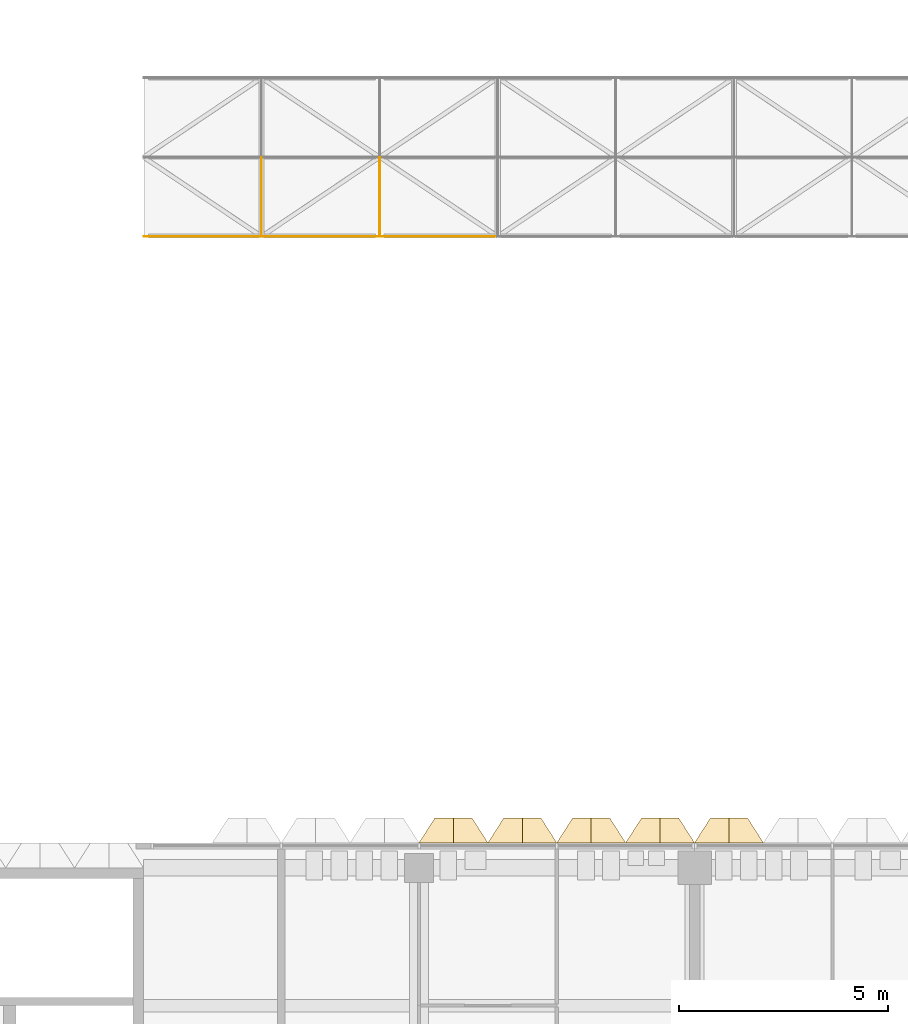
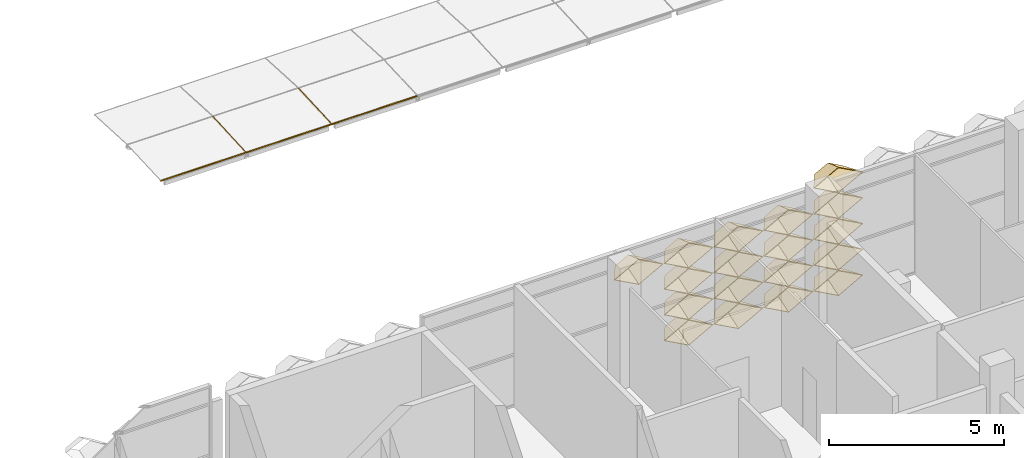
# One storey, part 46 of 61: 23 coverings.
"""IFC4 building model written with IfcOpenShell, lengths in metres."""

from ifc_helpers import new_model, entity, si_unit, direction, frame, origin, origin_2d, place, context, subcontext, project, spatial, rectangle, extrude, material, layer, layer_set, material_profile, profile_set, type_object, element, save


model = new_model("IFC4")

# Units and contexts
model_context = context("Model", 3, precision=1e-05, world=origin(), true_north=direction((0.0, 1.0)))
body_context = subcontext(model_context, "Body", "Model", "MODEL_VIEW")
ifc_project = project(units=[si_unit("LENGTHUNIT", "METRE"), si_unit("AREAUNIT", "SQUARE_METRE"), si_unit("VOLUMEUNIT", "CUBIC_METRE"), si_unit("PLANEANGLEUNIT", "RADIAN"), si_unit("MASSUNIT", "GRAM", prefix="KILO")], contexts=[model_context])

# Site, building, storey
site_placement = place(None, origin())
site = spatial("IfcSite", under=ifc_project, at=site_placement, CompositionType="ELEMENT")
building_placement = place(site_placement, origin())
building = spatial("IfcBuilding", under=site, at=building_placement, Name="Lantern Court Research Institute", CompositionType="ELEMENT")
storey_placement = place(building_placement, frame((0.0, 0.0, 23.39990234375)))
storey = spatial("IfcBuildingStorey", under=building, at=storey_placement, Name="L05", CompositionType="ELEMENT", Elevation=23.39990234375)

# Coverings
ifc_material_1 = material(Name="Anodised aluminium", Category="aluminium")
ifc_layer = layer(ifc_material_1, 0.01611328125)
ifc_layer_set = layer_set([ifc_layer], Name="Anodised aluminium")
covering_type_1 = type_object("IfcCoveringType", Name="Fin cassette 1650 x 900 x 600 aluminium", PredefinedType="CLADDING", material=ifc_layer_set)
covering_1_placement = place(storey_placement, frame((48.675048828125, 23.699951171875, 0.4501953125), z_axis=(0.0, 1.0, 0.0), x_axis=(-1.0, 0.0, 0.0)))
cartesian_point_1 = entity("IfcCartesianPoint", [0.824951171875, 0.0])
cartesian_point_2 = entity("IfcCartesianPoint", [0.79150390625, 0.0])
cartesian_point_3 = entity("IfcCartesianPoint", [0.44189453125, 0.0])
cartesian_point_4 = entity("IfcCartesianPoint", [0.43359375, 0.0])
element("IfcCovering", 1, at=covering_1_placement, inside=storey, type_object=covering_type_1, Name="Fin cassette V4N-L05 1.30", PredefinedType="CLADDING", context=body_context, shape_type="SweptSolid", body=[
    entity("IfcExtrudedAreaSolidTapered", entity("IfcArbitraryProfileDefWithVoids", "AREA", None, entity("IfcPolyline", [cartesian_point_1, entity("IfcCartesianPoint", [0.0, 0.449951171875]), entity("IfcCartesianPoint", [-0.824951171875, 0.0]), entity("IfcCartesianPoint", [0.0, -0.449951171875]), cartesian_point_1]), [entity("IfcPolyline", [cartesian_point_2, entity("IfcCartesianPoint", [0.0, 0.431884765625]), entity("IfcCartesianPoint", [-0.79150390625, 0.0]), entity("IfcCartesianPoint", [0.0, -0.431884765625]), cartesian_point_2])]), entity("IfcAxis2Placement3D", entity("IfcCartesianPoint", [0.0, 0.0, 0.0])), entity("IfcDirection", [0.0, 0.0, 1.0]), 0.60009765625, entity("IfcArbitraryProfileDefWithVoids", "AREA", None, entity("IfcPolyline", [cartesian_point_3, entity("IfcCartesianPoint", [0.0, 0.240966796875]), entity("IfcCartesianPoint", [-0.44189453125, 0.0]), entity("IfcCartesianPoint", [0.0, -0.240966796875]), cartesian_point_3]), [entity("IfcPolyline", [cartesian_point_4, entity("IfcCartesianPoint", [0.0, 0.236572265625]), entity("IfcCartesianPoint", [-0.43359375, 0.0]), entity("IfcCartesianPoint", [0.0, -0.236572265625]), cartesian_point_4])])),
])
covering_2_placement = place(storey_placement, frame((50.324951171875, 23.699951171875, 0.4501953125), z_axis=(0.0, 1.0, 0.0), x_axis=(-1.0, 0.0, 0.0)))
cartesian_point_5 = entity("IfcCartesianPoint", [0.824951171875, 0.0])
cartesian_point_6 = entity("IfcCartesianPoint", [0.79150390625, 0.0])
cartesian_point_7 = entity("IfcCartesianPoint", [0.44189453125, 0.0])
cartesian_point_8 = entity("IfcCartesianPoint", [0.43359375, 0.0])
element("IfcCovering", 2, at=covering_2_placement, inside=storey, type_object=covering_type_1, Name="Fin cassette V4N-L05 1.31", PredefinedType="CLADDING", context=body_context, shape_type="SweptSolid", body=[
    entity("IfcExtrudedAreaSolidTapered", entity("IfcArbitraryProfileDefWithVoids", "AREA", None, entity("IfcPolyline", [cartesian_point_5, entity("IfcCartesianPoint", [0.0, 0.449951171875]), entity("IfcCartesianPoint", [-0.824951171875, 0.0]), entity("IfcCartesianPoint", [0.0, -0.449951171875]), cartesian_point_5]), [entity("IfcPolyline", [cartesian_point_6, entity("IfcCartesianPoint", [0.0, 0.431884765625]), entity("IfcCartesianPoint", [-0.79150390625, 0.0]), entity("IfcCartesianPoint", [0.0, -0.431884765625]), cartesian_point_6])]), entity("IfcAxis2Placement3D", entity("IfcCartesianPoint", [0.0, 0.0, 0.0])), entity("IfcDirection", [0.0, 0.0, 1.0]), 0.60009765625, entity("IfcArbitraryProfileDefWithVoids", "AREA", None, entity("IfcPolyline", [cartesian_point_7, entity("IfcCartesianPoint", [0.0, 0.240966796875]), entity("IfcCartesianPoint", [-0.44189453125, 0.0]), entity("IfcCartesianPoint", [0.0, -0.240966796875]), cartesian_point_7]), [entity("IfcPolyline", [cartesian_point_8, entity("IfcCartesianPoint", [0.0, 0.236572265625]), entity("IfcCartesianPoint", [-0.43359375, 0.0]), entity("IfcCartesianPoint", [0.0, -0.236572265625]), cartesian_point_8])])),
])
covering_3_placement = place(storey_placement, frame((51.97509765625, 23.699951171875, 0.4501953125), z_axis=(0.0, 1.0, 0.0), x_axis=(-1.0, 0.0, 0.0)))
cartesian_point_9 = entity("IfcCartesianPoint", [0.824951171875, 0.0])
cartesian_point_10 = entity("IfcCartesianPoint", [0.79150390625, 0.0])
cartesian_point_11 = entity("IfcCartesianPoint", [0.44189453125, 0.0])
cartesian_point_12 = entity("IfcCartesianPoint", [0.43359375, 0.0])
element("IfcCovering", 3, at=covering_3_placement, inside=storey, type_object=covering_type_1, Name="Fin cassette V4N-L05 1.32", PredefinedType="CLADDING", context=body_context, shape_type="SweptSolid", body=[
    entity("IfcExtrudedAreaSolidTapered", entity("IfcArbitraryProfileDefWithVoids", "AREA", None, entity("IfcPolyline", [cartesian_point_9, entity("IfcCartesianPoint", [0.0, 0.449951171875]), entity("IfcCartesianPoint", [-0.824951171875, 0.0]), entity("IfcCartesianPoint", [0.0, -0.449951171875]), cartesian_point_9]), [entity("IfcPolyline", [cartesian_point_10, entity("IfcCartesianPoint", [0.0, 0.431884765625]), entity("IfcCartesianPoint", [-0.79150390625, 0.0]), entity("IfcCartesianPoint", [0.0, -0.431884765625]), cartesian_point_10])]), entity("IfcAxis2Placement3D", entity("IfcCartesianPoint", [0.0, 0.0, 0.0])), entity("IfcDirection", [0.0, 0.0, 1.0]), 0.60009765625, entity("IfcArbitraryProfileDefWithVoids", "AREA", None, entity("IfcPolyline", [cartesian_point_11, entity("IfcCartesianPoint", [0.0, 0.240966796875]), entity("IfcCartesianPoint", [-0.44189453125, 0.0]), entity("IfcCartesianPoint", [0.0, -0.240966796875]), cartesian_point_11]), [entity("IfcPolyline", [cartesian_point_12, entity("IfcCartesianPoint", [0.0, 0.236572265625]), entity("IfcCartesianPoint", [-0.43359375, 0.0]), entity("IfcCartesianPoint", [0.0, -0.236572265625]), cartesian_point_12])])),
])
covering_4_placement = place(storey_placement, frame((48.675048828125, 23.699951171875, 1.35009765625), z_axis=(0.0, 1.0, 0.0), x_axis=(-1.0, 0.0, 0.0)))
cartesian_point_13 = entity("IfcCartesianPoint", [0.824951171875, 0.0])
cartesian_point_14 = entity("IfcCartesianPoint", [0.79150390625, 0.0])
cartesian_point_15 = entity("IfcCartesianPoint", [0.44189453125, 0.0])
cartesian_point_16 = entity("IfcCartesianPoint", [0.43359375, 0.0])
element("IfcCovering", 4, at=covering_4_placement, inside=storey, type_object=covering_type_1, Name="Fin cassette V4N-L05 2.30", PredefinedType="CLADDING", context=body_context, shape_type="SweptSolid", body=[
    entity("IfcExtrudedAreaSolidTapered", entity("IfcArbitraryProfileDefWithVoids", "AREA", None, entity("IfcPolyline", [cartesian_point_13, entity("IfcCartesianPoint", [0.0, 0.449951171875]), entity("IfcCartesianPoint", [-0.824951171875, 0.0]), entity("IfcCartesianPoint", [0.0, -0.449951171875]), cartesian_point_13]), [entity("IfcPolyline", [cartesian_point_14, entity("IfcCartesianPoint", [0.0, 0.431884765625]), entity("IfcCartesianPoint", [-0.79150390625, 0.0]), entity("IfcCartesianPoint", [0.0, -0.431884765625]), cartesian_point_14])]), entity("IfcAxis2Placement3D", entity("IfcCartesianPoint", [0.0, 0.0, 0.0])), entity("IfcDirection", [0.0, 0.0, 1.0]), 0.60009765625, entity("IfcArbitraryProfileDefWithVoids", "AREA", None, entity("IfcPolyline", [cartesian_point_15, entity("IfcCartesianPoint", [0.0, 0.240966796875]), entity("IfcCartesianPoint", [-0.44189453125, 0.0]), entity("IfcCartesianPoint", [0.0, -0.240966796875]), cartesian_point_15]), [entity("IfcPolyline", [cartesian_point_16, entity("IfcCartesianPoint", [0.0, 0.236572265625]), entity("IfcCartesianPoint", [-0.43359375, 0.0]), entity("IfcCartesianPoint", [0.0, -0.236572265625]), cartesian_point_16])])),
])
covering_5_placement = place(storey_placement, frame((50.324951171875, 23.699951171875, 1.35009765625), z_axis=(0.0, 1.0, 0.0), x_axis=(-1.0, 0.0, 0.0)))
cartesian_point_17 = entity("IfcCartesianPoint", [0.824951171875, 0.0])
cartesian_point_18 = entity("IfcCartesianPoint", [0.79150390625, 0.0])
cartesian_point_19 = entity("IfcCartesianPoint", [0.44189453125, 0.0])
cartesian_point_20 = entity("IfcCartesianPoint", [0.43359375, 0.0])
element("IfcCovering", 5, at=covering_5_placement, inside=storey, type_object=covering_type_1, Name="Fin cassette V4N-L05 2.31", PredefinedType="CLADDING", context=body_context, shape_type="SweptSolid", body=[
    entity("IfcExtrudedAreaSolidTapered", entity("IfcArbitraryProfileDefWithVoids", "AREA", None, entity("IfcPolyline", [cartesian_point_17, entity("IfcCartesianPoint", [0.0, 0.449951171875]), entity("IfcCartesianPoint", [-0.824951171875, 0.0]), entity("IfcCartesianPoint", [0.0, -0.449951171875]), cartesian_point_17]), [entity("IfcPolyline", [cartesian_point_18, entity("IfcCartesianPoint", [0.0, 0.431884765625]), entity("IfcCartesianPoint", [-0.79150390625, 0.0]), entity("IfcCartesianPoint", [0.0, -0.431884765625]), cartesian_point_18])]), entity("IfcAxis2Placement3D", entity("IfcCartesianPoint", [0.0, 0.0, 0.0])), entity("IfcDirection", [0.0, 0.0, 1.0]), 0.60009765625, entity("IfcArbitraryProfileDefWithVoids", "AREA", None, entity("IfcPolyline", [cartesian_point_19, entity("IfcCartesianPoint", [0.0, 0.240966796875]), entity("IfcCartesianPoint", [-0.44189453125, 0.0]), entity("IfcCartesianPoint", [0.0, -0.240966796875]), cartesian_point_19]), [entity("IfcPolyline", [cartesian_point_20, entity("IfcCartesianPoint", [0.0, 0.236572265625]), entity("IfcCartesianPoint", [-0.43359375, 0.0]), entity("IfcCartesianPoint", [0.0, -0.236572265625]), cartesian_point_20])])),
])
covering_6_placement = place(storey_placement, frame((51.97509765625, 23.699951171875, 1.35009765625), z_axis=(0.0, 1.0, 0.0), x_axis=(-1.0, 0.0, 0.0)))
cartesian_point_21 = entity("IfcCartesianPoint", [0.824951171875, 0.0])
cartesian_point_22 = entity("IfcCartesianPoint", [0.79150390625, 0.0])
cartesian_point_23 = entity("IfcCartesianPoint", [0.44189453125, 0.0])
cartesian_point_24 = entity("IfcCartesianPoint", [0.43359375, 0.0])
element("IfcCovering", 6, at=covering_6_placement, inside=storey, type_object=covering_type_1, Name="Fin cassette V4N-L05 2.32", PredefinedType="CLADDING", context=body_context, shape_type="SweptSolid", body=[
    entity("IfcExtrudedAreaSolidTapered", entity("IfcArbitraryProfileDefWithVoids", "AREA", None, entity("IfcPolyline", [cartesian_point_21, entity("IfcCartesianPoint", [0.0, 0.449951171875]), entity("IfcCartesianPoint", [-0.824951171875, 0.0]), entity("IfcCartesianPoint", [0.0, -0.449951171875]), cartesian_point_21]), [entity("IfcPolyline", [cartesian_point_22, entity("IfcCartesianPoint", [0.0, 0.431884765625]), entity("IfcCartesianPoint", [-0.79150390625, 0.0]), entity("IfcCartesianPoint", [0.0, -0.431884765625]), cartesian_point_22])]), entity("IfcAxis2Placement3D", entity("IfcCartesianPoint", [0.0, 0.0, 0.0])), entity("IfcDirection", [0.0, 0.0, 1.0]), 0.60009765625, entity("IfcArbitraryProfileDefWithVoids", "AREA", None, entity("IfcPolyline", [cartesian_point_23, entity("IfcCartesianPoint", [0.0, 0.240966796875]), entity("IfcCartesianPoint", [-0.44189453125, 0.0]), entity("IfcCartesianPoint", [0.0, -0.240966796875]), cartesian_point_23]), [entity("IfcPolyline", [cartesian_point_24, entity("IfcCartesianPoint", [0.0, 0.236572265625]), entity("IfcCartesianPoint", [-0.43359375, 0.0]), entity("IfcCartesianPoint", [0.0, -0.236572265625]), cartesian_point_24])])),
])
covering_7_placement = place(storey_placement, frame((48.675048828125, 23.699951171875, 2.25), z_axis=(0.0, 1.0, 0.0), x_axis=(-1.0, 0.0, 0.0)))
cartesian_point_25 = entity("IfcCartesianPoint", [0.824951171875, 0.0])
cartesian_point_26 = entity("IfcCartesianPoint", [0.79150390625, 0.0])
cartesian_point_27 = entity("IfcCartesianPoint", [0.44189453125, 0.0])
cartesian_point_28 = entity("IfcCartesianPoint", [0.43359375, 0.0])
element("IfcCovering", 7, at=covering_7_placement, inside=storey, type_object=covering_type_1, Name="Fin cassette V4N-L05 3.30", PredefinedType="CLADDING", context=body_context, shape_type="SweptSolid", body=[
    entity("IfcExtrudedAreaSolidTapered", entity("IfcArbitraryProfileDefWithVoids", "AREA", None, entity("IfcPolyline", [cartesian_point_25, entity("IfcCartesianPoint", [0.0, 0.449951171875]), entity("IfcCartesianPoint", [-0.824951171875, 0.0]), entity("IfcCartesianPoint", [0.0, -0.449951171875]), cartesian_point_25]), [entity("IfcPolyline", [cartesian_point_26, entity("IfcCartesianPoint", [0.0, 0.431884765625]), entity("IfcCartesianPoint", [-0.79150390625, 0.0]), entity("IfcCartesianPoint", [0.0, -0.431884765625]), cartesian_point_26])]), entity("IfcAxis2Placement3D", entity("IfcCartesianPoint", [0.0, 0.0, 0.0])), entity("IfcDirection", [0.0, 0.0, 1.0]), 0.60009765625, entity("IfcArbitraryProfileDefWithVoids", "AREA", None, entity("IfcPolyline", [cartesian_point_27, entity("IfcCartesianPoint", [0.0, 0.240966796875]), entity("IfcCartesianPoint", [-0.44189453125, 0.0]), entity("IfcCartesianPoint", [0.0, -0.240966796875]), cartesian_point_27]), [entity("IfcPolyline", [cartesian_point_28, entity("IfcCartesianPoint", [0.0, 0.236572265625]), entity("IfcCartesianPoint", [-0.43359375, 0.0]), entity("IfcCartesianPoint", [0.0, -0.236572265625]), cartesian_point_28])])),
])
covering_8_placement = place(storey_placement, frame((50.324951171875, 23.699951171875, 2.25), z_axis=(0.0, 1.0, 0.0), x_axis=(-1.0, 0.0, 0.0)))
cartesian_point_29 = entity("IfcCartesianPoint", [0.824951171875, 0.0])
cartesian_point_30 = entity("IfcCartesianPoint", [0.79150390625, 0.0])
cartesian_point_31 = entity("IfcCartesianPoint", [0.44189453125, 0.0])
cartesian_point_32 = entity("IfcCartesianPoint", [0.43359375, 0.0])
element("IfcCovering", 8, at=covering_8_placement, inside=storey, type_object=covering_type_1, Name="Fin cassette V4N-L05 3.31", PredefinedType="CLADDING", context=body_context, shape_type="SweptSolid", body=[
    entity("IfcExtrudedAreaSolidTapered", entity("IfcArbitraryProfileDefWithVoids", "AREA", None, entity("IfcPolyline", [cartesian_point_29, entity("IfcCartesianPoint", [0.0, 0.449951171875]), entity("IfcCartesianPoint", [-0.824951171875, 0.0]), entity("IfcCartesianPoint", [0.0, -0.449951171875]), cartesian_point_29]), [entity("IfcPolyline", [cartesian_point_30, entity("IfcCartesianPoint", [0.0, 0.431884765625]), entity("IfcCartesianPoint", [-0.79150390625, 0.0]), entity("IfcCartesianPoint", [0.0, -0.431884765625]), cartesian_point_30])]), entity("IfcAxis2Placement3D", entity("IfcCartesianPoint", [0.0, 0.0, 0.0])), entity("IfcDirection", [0.0, 0.0, 1.0]), 0.60009765625, entity("IfcArbitraryProfileDefWithVoids", "AREA", None, entity("IfcPolyline", [cartesian_point_31, entity("IfcCartesianPoint", [0.0, 0.240966796875]), entity("IfcCartesianPoint", [-0.44189453125, 0.0]), entity("IfcCartesianPoint", [0.0, -0.240966796875]), cartesian_point_31]), [entity("IfcPolyline", [cartesian_point_32, entity("IfcCartesianPoint", [0.0, 0.236572265625]), entity("IfcCartesianPoint", [-0.43359375, 0.0]), entity("IfcCartesianPoint", [0.0, -0.236572265625]), cartesian_point_32])])),
])
covering_9_placement = place(storey_placement, frame((51.97509765625, 23.699951171875, 2.25), z_axis=(0.0, 1.0, 0.0), x_axis=(-1.0, 0.0, 0.0)))
cartesian_point_33 = entity("IfcCartesianPoint", [0.824951171875, 0.0])
cartesian_point_34 = entity("IfcCartesianPoint", [0.79150390625, 0.0])
cartesian_point_35 = entity("IfcCartesianPoint", [0.44189453125, 0.0])
cartesian_point_36 = entity("IfcCartesianPoint", [0.43359375, 0.0])
element("IfcCovering", 9, at=covering_9_placement, inside=storey, type_object=covering_type_1, Name="Fin cassette V4N-L05 3.32", PredefinedType="CLADDING", context=body_context, shape_type="SweptSolid", body=[
    entity("IfcExtrudedAreaSolidTapered", entity("IfcArbitraryProfileDefWithVoids", "AREA", None, entity("IfcPolyline", [cartesian_point_33, entity("IfcCartesianPoint", [0.0, 0.449951171875]), entity("IfcCartesianPoint", [-0.824951171875, 0.0]), entity("IfcCartesianPoint", [0.0, -0.449951171875]), cartesian_point_33]), [entity("IfcPolyline", [cartesian_point_34, entity("IfcCartesianPoint", [0.0, 0.431884765625]), entity("IfcCartesianPoint", [-0.79150390625, 0.0]), entity("IfcCartesianPoint", [0.0, -0.431884765625]), cartesian_point_34])]), entity("IfcAxis2Placement3D", entity("IfcCartesianPoint", [0.0, 0.0, 0.0])), entity("IfcDirection", [0.0, 0.0, 1.0]), 0.60009765625, entity("IfcArbitraryProfileDefWithVoids", "AREA", None, entity("IfcPolyline", [cartesian_point_35, entity("IfcCartesianPoint", [0.0, 0.240966796875]), entity("IfcCartesianPoint", [-0.44189453125, 0.0]), entity("IfcCartesianPoint", [0.0, -0.240966796875]), cartesian_point_35]), [entity("IfcPolyline", [cartesian_point_36, entity("IfcCartesianPoint", [0.0, 0.236572265625]), entity("IfcCartesianPoint", [-0.43359375, 0.0]), entity("IfcCartesianPoint", [0.0, -0.236572265625]), cartesian_point_36])])),
])
covering_10_placement = place(storey_placement, frame((47.02490234375, 23.699951171875, 3.150146484375), z_axis=(0.0, 1.0, 0.0), x_axis=(-1.0, 0.0, 0.0)))
cartesian_point_37 = entity("IfcCartesianPoint", [0.824951171875, 0.0])
cartesian_point_38 = entity("IfcCartesianPoint", [0.79150390625, 0.0])
cartesian_point_39 = entity("IfcCartesianPoint", [0.44189453125, 0.0])
cartesian_point_40 = entity("IfcCartesianPoint", [0.43359375, 0.0])
element("IfcCovering", 10, at=covering_10_placement, inside=storey, type_object=covering_type_1, Name="Fin cassette V4N-L05 4.29", PredefinedType="CLADDING", context=body_context, shape_type="SweptSolid", body=[
    entity("IfcExtrudedAreaSolidTapered", entity("IfcArbitraryProfileDefWithVoids", "AREA", None, entity("IfcPolyline", [cartesian_point_37, entity("IfcCartesianPoint", [0.0, 0.449951171875]), entity("IfcCartesianPoint", [-0.824951171875, 0.0]), entity("IfcCartesianPoint", [0.0, -0.449951171875]), cartesian_point_37]), [entity("IfcPolyline", [cartesian_point_38, entity("IfcCartesianPoint", [0.0, 0.431884765625]), entity("IfcCartesianPoint", [-0.79150390625, 0.0]), entity("IfcCartesianPoint", [0.0, -0.431884765625]), cartesian_point_38])]), entity("IfcAxis2Placement3D", entity("IfcCartesianPoint", [0.0, 0.0, 0.0])), entity("IfcDirection", [0.0, 0.0, 1.0]), 0.60009765625, entity("IfcArbitraryProfileDefWithVoids", "AREA", None, entity("IfcPolyline", [cartesian_point_39, entity("IfcCartesianPoint", [0.0, 0.240966796875]), entity("IfcCartesianPoint", [-0.44189453125, 0.0]), entity("IfcCartesianPoint", [0.0, -0.240966796875]), cartesian_point_39]), [entity("IfcPolyline", [cartesian_point_40, entity("IfcCartesianPoint", [0.0, 0.236572265625]), entity("IfcCartesianPoint", [-0.43359375, 0.0]), entity("IfcCartesianPoint", [0.0, -0.236572265625]), cartesian_point_40])])),
])
covering_11_placement = place(storey_placement, frame((48.675048828125, 23.699951171875, 3.150146484375), z_axis=(0.0, 1.0, 0.0), x_axis=(-1.0, 0.0, 0.0)))
cartesian_point_41 = entity("IfcCartesianPoint", [0.824951171875, 0.0])
cartesian_point_42 = entity("IfcCartesianPoint", [0.79150390625, 0.0])
cartesian_point_43 = entity("IfcCartesianPoint", [0.44189453125, 0.0])
cartesian_point_44 = entity("IfcCartesianPoint", [0.43359375, 0.0])
element("IfcCovering", 11, at=covering_11_placement, inside=storey, type_object=covering_type_1, Name="Fin cassette V4N-L05 4.30", PredefinedType="CLADDING", context=body_context, shape_type="SweptSolid", body=[
    entity("IfcExtrudedAreaSolidTapered", entity("IfcArbitraryProfileDefWithVoids", "AREA", None, entity("IfcPolyline", [cartesian_point_41, entity("IfcCartesianPoint", [0.0, 0.449951171875]), entity("IfcCartesianPoint", [-0.824951171875, 0.0]), entity("IfcCartesianPoint", [0.0, -0.449951171875]), cartesian_point_41]), [entity("IfcPolyline", [cartesian_point_42, entity("IfcCartesianPoint", [0.0, 0.431884765625]), entity("IfcCartesianPoint", [-0.79150390625, 0.0]), entity("IfcCartesianPoint", [0.0, -0.431884765625]), cartesian_point_42])]), entity("IfcAxis2Placement3D", entity("IfcCartesianPoint", [0.0, 0.0, 0.0])), entity("IfcDirection", [0.0, 0.0, 1.0]), 0.60009765625, entity("IfcArbitraryProfileDefWithVoids", "AREA", None, entity("IfcPolyline", [cartesian_point_43, entity("IfcCartesianPoint", [0.0, 0.240966796875]), entity("IfcCartesianPoint", [-0.44189453125, 0.0]), entity("IfcCartesianPoint", [0.0, -0.240966796875]), cartesian_point_43]), [entity("IfcPolyline", [cartesian_point_44, entity("IfcCartesianPoint", [0.0, 0.236572265625]), entity("IfcCartesianPoint", [-0.43359375, 0.0]), entity("IfcCartesianPoint", [0.0, -0.236572265625]), cartesian_point_44])])),
])
covering_12_placement = place(storey_placement, frame((50.324951171875, 23.699951171875, 3.150146484375), z_axis=(0.0, 1.0, 0.0), x_axis=(-1.0, 0.0, 0.0)))
cartesian_point_45 = entity("IfcCartesianPoint", [0.824951171875, 0.0])
cartesian_point_46 = entity("IfcCartesianPoint", [0.79150390625, 0.0])
cartesian_point_47 = entity("IfcCartesianPoint", [0.44189453125, 0.0])
cartesian_point_48 = entity("IfcCartesianPoint", [0.43359375, 0.0])
element("IfcCovering", 12, at=covering_12_placement, inside=storey, type_object=covering_type_1, Name="Fin cassette V4N-L05 4.31", PredefinedType="CLADDING", context=body_context, shape_type="SweptSolid", body=[
    entity("IfcExtrudedAreaSolidTapered", entity("IfcArbitraryProfileDefWithVoids", "AREA", None, entity("IfcPolyline", [cartesian_point_45, entity("IfcCartesianPoint", [0.0, 0.449951171875]), entity("IfcCartesianPoint", [-0.824951171875, 0.0]), entity("IfcCartesianPoint", [0.0, -0.449951171875]), cartesian_point_45]), [entity("IfcPolyline", [cartesian_point_46, entity("IfcCartesianPoint", [0.0, 0.431884765625]), entity("IfcCartesianPoint", [-0.79150390625, 0.0]), entity("IfcCartesianPoint", [0.0, -0.431884765625]), cartesian_point_46])]), entity("IfcAxis2Placement3D", entity("IfcCartesianPoint", [0.0, 0.0, 0.0])), entity("IfcDirection", [0.0, 0.0, 1.0]), 0.60009765625, entity("IfcArbitraryProfileDefWithVoids", "AREA", None, entity("IfcPolyline", [cartesian_point_47, entity("IfcCartesianPoint", [0.0, 0.240966796875]), entity("IfcCartesianPoint", [-0.44189453125, 0.0]), entity("IfcCartesianPoint", [0.0, -0.240966796875]), cartesian_point_47]), [entity("IfcPolyline", [cartesian_point_48, entity("IfcCartesianPoint", [0.0, 0.236572265625]), entity("IfcCartesianPoint", [-0.43359375, 0.0]), entity("IfcCartesianPoint", [0.0, -0.236572265625]), cartesian_point_48])])),
])
covering_13_placement = place(storey_placement, frame((51.97509765625, 23.699951171875, 3.150146484375), z_axis=(0.0, 1.0, 0.0), x_axis=(-1.0, 0.0, 0.0)))
cartesian_point_49 = entity("IfcCartesianPoint", [0.824951171875, 0.0])
cartesian_point_50 = entity("IfcCartesianPoint", [0.79150390625, 0.0])
cartesian_point_51 = entity("IfcCartesianPoint", [0.44189453125, 0.0])
cartesian_point_52 = entity("IfcCartesianPoint", [0.43359375, 0.0])
element("IfcCovering", 13, at=covering_13_placement, inside=storey, type_object=covering_type_1, Name="Fin cassette V4N-L05 4.32", PredefinedType="CLADDING", context=body_context, shape_type="SweptSolid", body=[
    entity("IfcExtrudedAreaSolidTapered", entity("IfcArbitraryProfileDefWithVoids", "AREA", None, entity("IfcPolyline", [cartesian_point_49, entity("IfcCartesianPoint", [0.0, 0.449951171875]), entity("IfcCartesianPoint", [-0.824951171875, 0.0]), entity("IfcCartesianPoint", [0.0, -0.449951171875]), cartesian_point_49]), [entity("IfcPolyline", [cartesian_point_50, entity("IfcCartesianPoint", [0.0, 0.431884765625]), entity("IfcCartesianPoint", [-0.79150390625, 0.0]), entity("IfcCartesianPoint", [0.0, -0.431884765625]), cartesian_point_50])]), entity("IfcAxis2Placement3D", entity("IfcCartesianPoint", [0.0, 0.0, 0.0])), entity("IfcDirection", [0.0, 0.0, 1.0]), 0.60009765625, entity("IfcArbitraryProfileDefWithVoids", "AREA", None, entity("IfcPolyline", [cartesian_point_51, entity("IfcCartesianPoint", [0.0, 0.240966796875]), entity("IfcCartesianPoint", [-0.44189453125, 0.0]), entity("IfcCartesianPoint", [0.0, -0.240966796875]), cartesian_point_51]), [entity("IfcPolyline", [cartesian_point_52, entity("IfcCartesianPoint", [0.0, 0.236572265625]), entity("IfcCartesianPoint", [-0.43359375, 0.0]), entity("IfcCartesianPoint", [0.0, -0.236572265625]), cartesian_point_52])])),
])
covering_14_placement = place(storey_placement, frame((53.625, 23.699951171875, 0.4501953125), z_axis=(0.0, 1.0, 0.0), x_axis=(-1.0, 0.0, 0.0)))
cartesian_point_53 = entity("IfcCartesianPoint", [0.824951171875, 0.0])
cartesian_point_54 = entity("IfcCartesianPoint", [0.79150390625, 0.0])
cartesian_point_55 = entity("IfcCartesianPoint", [0.44189453125, 0.0])
cartesian_point_56 = entity("IfcCartesianPoint", [0.43359375, 0.0])
element("IfcCovering", 14, at=covering_14_placement, inside=storey, type_object=covering_type_1, Name="Fin cassette V5N-L05 1.33", PredefinedType="CLADDING", context=body_context, shape_type="SweptSolid", body=[
    entity("IfcExtrudedAreaSolidTapered", entity("IfcArbitraryProfileDefWithVoids", "AREA", None, entity("IfcPolyline", [cartesian_point_53, entity("IfcCartesianPoint", [0.0, 0.449951171875]), entity("IfcCartesianPoint", [-0.824951171875, 0.0]), entity("IfcCartesianPoint", [0.0, -0.449951171875]), cartesian_point_53]), [entity("IfcPolyline", [cartesian_point_54, entity("IfcCartesianPoint", [0.0, 0.431884765625]), entity("IfcCartesianPoint", [-0.79150390625, 0.0]), entity("IfcCartesianPoint", [0.0, -0.431884765625]), cartesian_point_54])]), entity("IfcAxis2Placement3D", entity("IfcCartesianPoint", [0.0, 0.0, 0.0])), entity("IfcDirection", [0.0, 0.0, 1.0]), 0.60009765625, entity("IfcArbitraryProfileDefWithVoids", "AREA", None, entity("IfcPolyline", [cartesian_point_55, entity("IfcCartesianPoint", [0.0, 0.240966796875]), entity("IfcCartesianPoint", [-0.44189453125, 0.0]), entity("IfcCartesianPoint", [0.0, -0.240966796875]), cartesian_point_55]), [entity("IfcPolyline", [cartesian_point_56, entity("IfcCartesianPoint", [0.0, 0.236572265625]), entity("IfcCartesianPoint", [-0.43359375, 0.0]), entity("IfcCartesianPoint", [0.0, -0.236572265625]), cartesian_point_56])])),
])
covering_15_placement = place(storey_placement, frame((53.625, 23.699951171875, 1.35009765625), z_axis=(0.0, 1.0, 0.0), x_axis=(-1.0, 0.0, 0.0)))
cartesian_point_57 = entity("IfcCartesianPoint", [0.824951171875, 0.0])
cartesian_point_58 = entity("IfcCartesianPoint", [0.79150390625, 0.0])
cartesian_point_59 = entity("IfcCartesianPoint", [0.44189453125, 0.0])
cartesian_point_60 = entity("IfcCartesianPoint", [0.43359375, 0.0])
element("IfcCovering", 15, at=covering_15_placement, inside=storey, type_object=covering_type_1, Name="Fin cassette V5N-L05 2.33", PredefinedType="CLADDING", context=body_context, shape_type="SweptSolid", body=[
    entity("IfcExtrudedAreaSolidTapered", entity("IfcArbitraryProfileDefWithVoids", "AREA", None, entity("IfcPolyline", [cartesian_point_57, entity("IfcCartesianPoint", [0.0, 0.449951171875]), entity("IfcCartesianPoint", [-0.824951171875, 0.0]), entity("IfcCartesianPoint", [0.0, -0.449951171875]), cartesian_point_57]), [entity("IfcPolyline", [cartesian_point_58, entity("IfcCartesianPoint", [0.0, 0.431884765625]), entity("IfcCartesianPoint", [-0.79150390625, 0.0]), entity("IfcCartesianPoint", [0.0, -0.431884765625]), cartesian_point_58])]), entity("IfcAxis2Placement3D", entity("IfcCartesianPoint", [0.0, 0.0, 0.0])), entity("IfcDirection", [0.0, 0.0, 1.0]), 0.60009765625, entity("IfcArbitraryProfileDefWithVoids", "AREA", None, entity("IfcPolyline", [cartesian_point_59, entity("IfcCartesianPoint", [0.0, 0.240966796875]), entity("IfcCartesianPoint", [-0.44189453125, 0.0]), entity("IfcCartesianPoint", [0.0, -0.240966796875]), cartesian_point_59]), [entity("IfcPolyline", [cartesian_point_60, entity("IfcCartesianPoint", [0.0, 0.236572265625]), entity("IfcCartesianPoint", [-0.43359375, 0.0]), entity("IfcCartesianPoint", [0.0, -0.236572265625]), cartesian_point_60])])),
])
covering_16_placement = place(storey_placement, frame((53.625, 23.699951171875, 2.25), z_axis=(0.0, 1.0, 0.0), x_axis=(-1.0, 0.0, 0.0)))
cartesian_point_61 = entity("IfcCartesianPoint", [0.824951171875, 0.0])
cartesian_point_62 = entity("IfcCartesianPoint", [0.79150390625, 0.0])
cartesian_point_63 = entity("IfcCartesianPoint", [0.44189453125, 0.0])
cartesian_point_64 = entity("IfcCartesianPoint", [0.43359375, 0.0])
element("IfcCovering", 16, at=covering_16_placement, inside=storey, type_object=covering_type_1, Name="Fin cassette V5N-L05 3.33", PredefinedType="CLADDING", context=body_context, shape_type="SweptSolid", body=[
    entity("IfcExtrudedAreaSolidTapered", entity("IfcArbitraryProfileDefWithVoids", "AREA", None, entity("IfcPolyline", [cartesian_point_61, entity("IfcCartesianPoint", [0.0, 0.449951171875]), entity("IfcCartesianPoint", [-0.824951171875, 0.0]), entity("IfcCartesianPoint", [0.0, -0.449951171875]), cartesian_point_61]), [entity("IfcPolyline", [cartesian_point_62, entity("IfcCartesianPoint", [0.0, 0.431884765625]), entity("IfcCartesianPoint", [-0.79150390625, 0.0]), entity("IfcCartesianPoint", [0.0, -0.431884765625]), cartesian_point_62])]), entity("IfcAxis2Placement3D", entity("IfcCartesianPoint", [0.0, 0.0, 0.0])), entity("IfcDirection", [0.0, 0.0, 1.0]), 0.60009765625, entity("IfcArbitraryProfileDefWithVoids", "AREA", None, entity("IfcPolyline", [cartesian_point_63, entity("IfcCartesianPoint", [0.0, 0.240966796875]), entity("IfcCartesianPoint", [-0.44189453125, 0.0]), entity("IfcCartesianPoint", [0.0, -0.240966796875]), cartesian_point_63]), [entity("IfcPolyline", [cartesian_point_64, entity("IfcCartesianPoint", [0.0, 0.236572265625]), entity("IfcCartesianPoint", [-0.43359375, 0.0]), entity("IfcCartesianPoint", [0.0, -0.236572265625]), cartesian_point_64])])),
])
covering_17_placement = place(storey_placement, frame((53.625, 23.699951171875, 3.150146484375), z_axis=(0.0, 1.0, 0.0), x_axis=(-1.0, 0.0, 0.0)))
cartesian_point_65 = entity("IfcCartesianPoint", [0.824951171875, 0.0])
cartesian_point_66 = entity("IfcCartesianPoint", [0.79150390625, 0.0])
cartesian_point_67 = entity("IfcCartesianPoint", [0.44189453125, 0.0])
cartesian_point_68 = entity("IfcCartesianPoint", [0.43359375, 0.0])
element("IfcCovering", 17, at=covering_17_placement, inside=storey, type_object=covering_type_1, Name="Fin cassette V5N-L05 4.33", PredefinedType="CLADDING", context=body_context, shape_type="SweptSolid", body=[
    entity("IfcExtrudedAreaSolidTapered", entity("IfcArbitraryProfileDefWithVoids", "AREA", None, entity("IfcPolyline", [cartesian_point_65, entity("IfcCartesianPoint", [0.0, 0.449951171875]), entity("IfcCartesianPoint", [-0.824951171875, 0.0]), entity("IfcCartesianPoint", [0.0, -0.449951171875]), cartesian_point_65]), [entity("IfcPolyline", [cartesian_point_66, entity("IfcCartesianPoint", [0.0, 0.431884765625]), entity("IfcCartesianPoint", [-0.79150390625, 0.0]), entity("IfcCartesianPoint", [0.0, -0.431884765625]), cartesian_point_66])]), entity("IfcAxis2Placement3D", entity("IfcCartesianPoint", [0.0, 0.0, 0.0])), entity("IfcDirection", [0.0, 0.0, 1.0]), 0.60009765625, entity("IfcArbitraryProfileDefWithVoids", "AREA", None, entity("IfcPolyline", [cartesian_point_67, entity("IfcCartesianPoint", [0.0, 0.240966796875]), entity("IfcCartesianPoint", [-0.44189453125, 0.0]), entity("IfcCartesianPoint", [0.0, -0.240966796875]), cartesian_point_67]), [entity("IfcPolyline", [cartesian_point_68, entity("IfcCartesianPoint", [0.0, 0.236572265625]), entity("IfcCartesianPoint", [-0.43359375, 0.0]), entity("IfcCartesianPoint", [0.0, -0.236572265625]), cartesian_point_68])])),
])
covering_18_placement = place(storey_placement, frame((53.625, 23.699951171875, 4.050048828125), z_axis=(0.0, 1.0, 0.0), x_axis=(-1.0, 0.0, 0.0)))
cartesian_point_69 = entity("IfcCartesianPoint", [0.824951171875, 0.0])
cartesian_point_70 = entity("IfcCartesianPoint", [0.79150390625, 0.0])
cartesian_point_71 = entity("IfcCartesianPoint", [0.44189453125, 0.0])
cartesian_point_72 = entity("IfcCartesianPoint", [0.43359375, 0.0])
element("IfcCovering", 18, at=covering_18_placement, inside=storey, type_object=covering_type_1, Name="Fin cassette V5N-L05 5.33", PredefinedType="CLADDING", context=body_context, shape_type="SweptSolid", body=[
    entity("IfcExtrudedAreaSolidTapered", entity("IfcArbitraryProfileDefWithVoids", "AREA", None, entity("IfcPolyline", [cartesian_point_69, entity("IfcCartesianPoint", [0.0, 0.449951171875]), entity("IfcCartesianPoint", [-0.824951171875, 0.0]), entity("IfcCartesianPoint", [0.0, -0.449951171875]), cartesian_point_69]), [entity("IfcPolyline", [cartesian_point_70, entity("IfcCartesianPoint", [0.0, 0.431884765625]), entity("IfcCartesianPoint", [-0.79150390625, 0.0]), entity("IfcCartesianPoint", [0.0, -0.431884765625]), cartesian_point_70])]), entity("IfcAxis2Placement3D", entity("IfcCartesianPoint", [0.0, 0.0, 0.0])), entity("IfcDirection", [0.0, 0.0, 1.0]), 0.60009765625, entity("IfcArbitraryProfileDefWithVoids", "AREA", None, entity("IfcPolyline", [cartesian_point_71, entity("IfcCartesianPoint", [0.0, 0.240966796875]), entity("IfcCartesianPoint", [-0.44189453125, 0.0]), entity("IfcCartesianPoint", [0.0, -0.240966796875]), cartesian_point_71]), [entity("IfcPolyline", [cartesian_point_72, entity("IfcCartesianPoint", [0.0, 0.236572265625]), entity("IfcCartesianPoint", [-0.43359375, 0.0]), entity("IfcCartesianPoint", [0.0, -0.236572265625]), cartesian_point_72])])),
])
ifc_material_2 = material(Name="Aluminium alloy 6063-T6", Category="aluminium")
ifc_material_profile = material_profile(ifc_material_2, rectangle(XDim=0.01806640625, YDim=0.035888671875, at=origin_2d()), Name="Joint cover bar 18 x 36")
ifc_profile_set = profile_set([ifc_material_profile], Name="Aluminium alloy 6063-T6")
covering_type_2 = type_object("IfcCoveringType", Name="Joint cover bar 18 x 36", PredefinedType="MOLDING", material=ifc_profile_set)
covering_19_placement = place(storey_placement, frame((39.610107421875, 38.22314453125, 0.122314453125), z_axis=(1.0, 0.0, 0.0), x_axis=(0.0, 0.994933962664, 0.100530641789)))
element("IfcCovering", 19, at=covering_19_placement, inside=storey, type_object=covering_type_2, Name="Joint cover bar", PredefinedType="MOLDING", context=body_context, shape_type="SweptSolid", body=[
    extrude(rectangle(XDim=0.01806640625, YDim=0.035888671875, at=origin_2d()), origin(), (0.0, 0.0, 1.0), 2.808349609375),
])
covering_20_placement = place(storey_placement, frame((42.428466796875, 38.22412109375, 0.122314453125), z_axis=(0.0, 0.998733707136, 0.050308868311), x_axis=(-1.0, 0.0, 0.0)))
element("IfcCovering", 20, at=covering_20_placement, inside=storey, type_object=covering_type_2, Name="Joint cover bar", PredefinedType="MOLDING", context=body_context, shape_type="SweptSolid", body=[
    extrude(rectangle(XDim=0.01806640625, YDim=0.035888671875, at=origin_2d()), origin(), (0.0, 0.0, 1.0), 1.90234375),
])
covering_21_placement = place(storey_placement, frame((42.4384765625, 38.22314453125, 0.122314453125), z_axis=(1.0, 0.0, 0.0), x_axis=(0.0, 0.994933962664, 0.100530641789)))
element("IfcCovering", 21, at=covering_21_placement, inside=storey, type_object=covering_type_2, Name="Joint cover bar", PredefinedType="MOLDING", context=body_context, shape_type="SweptSolid", body=[
    extrude(rectangle(XDim=0.01806640625, YDim=0.035888671875, at=origin_2d()), origin(), (0.0, 0.0, 1.0), 2.80859375),
])
covering_22_placement = place(storey_placement, frame((45.257080078125, 38.22412109375, 0.122314453125), z_axis=(0.0, 0.998733707136, 0.050308868311), x_axis=(-1.0, 0.0, 0.0)))
element("IfcCovering", 22, at=covering_22_placement, inside=storey, type_object=covering_type_2, Name="Joint cover bar", PredefinedType="MOLDING", context=body_context, shape_type="SweptSolid", body=[
    extrude(rectangle(XDim=0.01806640625, YDim=0.035888671875, at=origin_2d()), origin(), (0.0, 0.0, 1.0), 1.90234375),
])
covering_23_placement = place(storey_placement, frame((45.26708984375, 38.22314453125, 0.122314453125), z_axis=(1.0, 0.0, 0.0), x_axis=(0.0, 0.994933962664, 0.100530641789)))
element("IfcCovering", 23, at=covering_23_placement, inside=storey, type_object=covering_type_2, Name="Joint cover bar", PredefinedType="MOLDING", context=body_context, shape_type="SweptSolid", body=[
    extrude(rectangle(XDim=0.01806640625, YDim=0.035888671875, at=origin_2d()), origin(), (0.0, 0.0, 1.0), 2.80859375),
])

save(model, "model.ifc")
